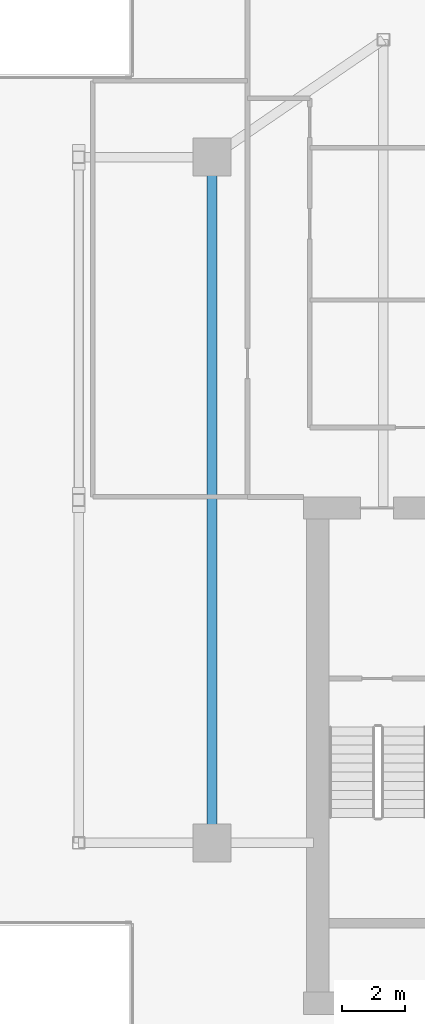
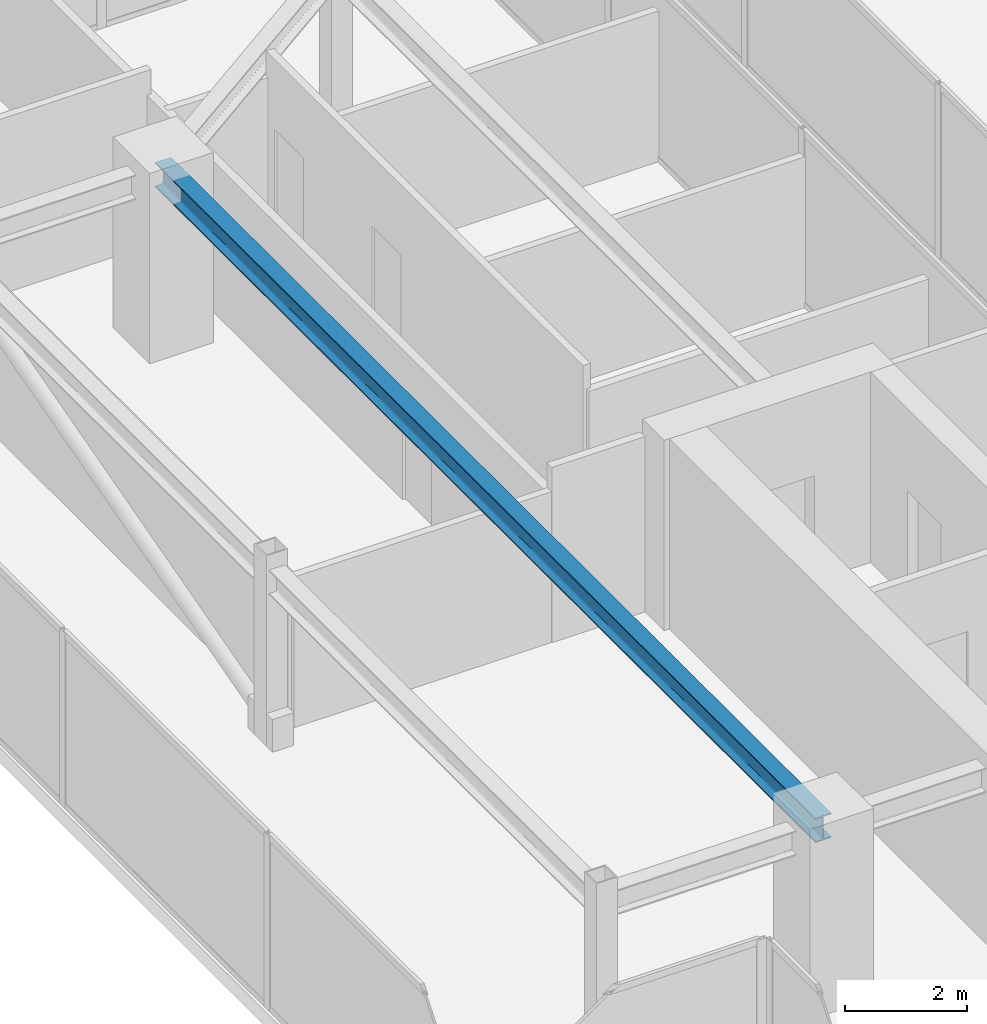
# One storey, part 9 of 25: 1 beam.
"""IFC4 building model written with IfcOpenShell, lengths in metres."""

import ifcopenshell
import ifcopenshell.guid

model = None  # the IFC model being written
_history = None  # IfcOwnerHistory: only IFC2X3 demands one
_inside = {}  # id of a spatial element -> (the spatial element, [elements in it])
_under = {}  # id of a project, library or spatial element -> (it, [spatial elements below it])
_declared = {}  # id of a project -> (the project, [libraries it declares])
_typed = {}  # id of a type object -> (the type object, [elements of that type])
_made_of = {}  # id of a material, layer set ... -> (it, [elements and type objects made of it])


def new_model(schema):
    """Start an empty IFC model of exactly this schema.

    Asked for "IFC4X3", IfcOpenShell would pick the latest addendum, in which some entities
    have other attributes; the version numbers below select the first issue.
    IFC2X3 requires an IfcOwnerHistory on every rooted entity: one is made here for all.
    """
    global model, _history
    if schema == "IFC4X3":
        model = ifcopenshell.file(schema_version=(4, 3, 0, 0))
    else:
        model = ifcopenshell.file(schema=schema)
    _inside.clear()
    _under.clear()
    _declared.clear()
    _typed.clear()
    _made_of.clear()
    _history = None
    if model.schema == "IFC2X3":
        org = make("IfcOrganization", Name="unknown")
        user = make(
            "IfcPersonAndOrganization",
            ThePerson=make("IfcPerson", FamilyName="unknown"),
            TheOrganization=org,
        )
        app = make(
            "IfcApplication",
            ApplicationDeveloper=org,
            Version="unknown",
            ApplicationFullName="unknown",
            ApplicationIdentifier="unknown",
        )
        _history = make(
            "IfcOwnerHistory",
            OwningUser=user,
            OwningApplication=app,
            ChangeAction="ADDED",
            CreationDate=0,
        )
    return model


def make(cls, **values):
    """One entity of the class cls with the attributes given. An attribute that is None is left unset."""
    return model.create_entity(
        cls, **{name: value for name, value in values.items() if value is not None}
    )


def rooted(cls, **values):
    """An entity with a GlobalId (a new one), such as an element, a storey or a relation."""
    return make(cls, GlobalId=ifcopenshell.guid.new(), OwnerHistory=_history, **values)


def si_unit(unit_type, name, prefix=None):
    """IfcSIUnit, for example si_unit("LENGTHUNIT", "METRE", prefix="MILLI")."""
    return make("IfcSIUnit", UnitType=unit_type, Prefix=prefix, Name=name)


def assignment(units):
    """IfcUnitAssignment: the units of a project."""
    return None if units is None else make("IfcUnitAssignment", Units=units)


def point(xyz):
    """IfcCartesianPoint."""
    return None if xyz is None else make("IfcCartesianPoint", Coordinates=xyz)


def direction(xyz):
    """IfcDirection."""
    return None if xyz is None else make("IfcDirection", DirectionRatios=xyz)


def frame(location, z_axis=None, x_axis=None):
    """IfcAxis2Placement3D, a coordinate frame: its origin and axes. An axis left out is left unset."""
    return make(
        "IfcAxis2Placement3D",
        Location=point(location),
        Axis=direction(z_axis),
        RefDirection=direction(x_axis),
    )


def frame_2d(location, x_axis=None):
    """IfcAxis2Placement2D, a coordinate frame in the plane: its origin and x axis."""
    return make(
        "IfcAxis2Placement2D", Location=point(location), RefDirection=direction(x_axis)
    )


def origin():
    """The frame at (0, 0, 0) with its axes left unset."""
    return frame((0.0, 0.0, 0.0))


def origin_2d():
    """The frame at (0, 0) in the plane with its x axis left unset."""
    return frame_2d((0.0, 0.0))


def place(relative_to, where):
    """IfcLocalPlacement: puts the frame where relative to a parent placement (None: the world)."""
    return make(
        "IfcLocalPlacement", PlacementRelTo=relative_to, RelativePlacement=where
    )


def context(
    kind, dimensions, precision=None, world=None, true_north=None, identifier=None
):
    """IfcGeometricRepresentationContext, for example the 3D "Model" context."""
    return make(
        "IfcGeometricRepresentationContext",
        ContextIdentifier=identifier,
        ContextType=kind,
        CoordinateSpaceDimension=dimensions,
        Precision=precision,
        WorldCoordinateSystem=world,
        TrueNorth=true_north,
    )


def subcontext(parent, identifier, kind, view, scale=None):
    """IfcGeometricRepresentationSubContext, for example "Body" below "Model"."""
    return make(
        "IfcGeometricRepresentationSubContext",
        ContextIdentifier=identifier,
        ContextType=kind,
        ParentContext=parent,
        TargetScale=scale,
        TargetView=view,
    )


def project(units=None, contexts=None):
    """IfcProject with its units and contexts."""
    return rooted(
        "IfcProject",
        Name="project",
        RepresentationContexts=contexts,
        UnitsInContext=assignment(units),
    )


def spatial(cls, under=None, at=None, **own):
    """A site, building, storey or space (cls), placed at a placement, below another one or the project."""
    s = rooted(cls, ObjectPlacement=at, **own)
    if under is not None:
        _under.setdefault(under.id(), (under, []))[1].append(s)
    return s


def profile(cls, at=None, kind="AREA", **sizes):
    """A parametric profile (cls). Its sizes go by their IFC names, for example OverallWidth=200.0."""
    return make(cls, ProfileType=kind, Position=at, **sizes)


def i_section(**sizes):
    """IfcIShapeProfileDef."""
    return profile("IfcIShapeProfileDef", **sizes)


def extrude(swept, where, along, depth):
    """IfcExtrudedAreaSolid: the profile swept, set in the frame where, extruded along a direction by depth."""
    return make(
        "IfcExtrudedAreaSolid",
        SweptArea=swept,
        Position=where,
        ExtrudedDirection=direction(along),
        Depth=depth,
    )


def shape(context_of_items, identifier, shape_type, items):
    """IfcShapeRepresentation: the items that make up one representation, for example the "Body"."""
    return make(
        "IfcShapeRepresentation",
        ContextOfItems=context_of_items,
        RepresentationIdentifier=identifier,
        RepresentationType=shape_type,
        Items=items,
    )


def source(mapping_origin, context_of_items, identifier, shape_type, items):
    """IfcRepresentationMap: a shape defined once, which mapped items show again and again."""
    return make(
        "IfcRepresentationMap",
        MappingOrigin=mapping_origin,
        MappedRepresentation=shape(context_of_items, identifier, shape_type, items),
    )


def transform(
    local_origin,
    x_axis=None,
    y_axis=None,
    z_axis=None,
    scale=None,
    scale2=None,
    scale3=None,
    uniform=True,
):
    """IfcCartesianTransformationOperator3D, or its non-uniform kind. x_axis, y_axis, z_axis: its Axis1, 2, 3."""
    if uniform:
        return make(
            "IfcCartesianTransformationOperator3D",
            Axis1=direction(x_axis),
            Axis2=direction(y_axis),
            LocalOrigin=point(local_origin),
            Scale=scale,
            Axis3=direction(z_axis),
        )
    return make(
        "IfcCartesianTransformationOperator3DnonUniform",
        Axis1=direction(x_axis),
        Axis2=direction(y_axis),
        LocalOrigin=point(local_origin),
        Scale=scale,
        Axis3=direction(z_axis),
        Scale2=scale2,
        Scale3=scale3,
    )


def mapped(mapping_source, mapping_target):
    """IfcMappedItem: shows the shape of a source again, moved by a transform."""
    return make(
        "IfcMappedItem", MappingSource=mapping_source, MappingTarget=mapping_target
    )


def material(Name=None, Category=None):
    """IfcMaterial."""
    return make("IfcMaterial", Name=Name, Category=Category)


def material_profile(
    of_material, cross_section, Name=None, Category=None, Priority=None
):
    """IfcMaterialProfile: a cross section and its material."""
    return make(
        "IfcMaterialProfile",
        Name=Name,
        Material=of_material,
        Profile=cross_section,
        Priority=Priority,
        Category=Category,
    )


def profile_set(profiles, Name=None, composite=None):
    """IfcMaterialProfileSet."""
    return make(
        "IfcMaterialProfileSet",
        Name=Name,
        MaterialProfiles=profiles,
        CompositeProfile=composite,
    )


def made_of(thing, what):
    """Note that an element or type object is made of a material, layer set ...; save() writes the relation."""
    if what is not None:
        _made_of.setdefault(what.id(), (what, []))[1].append(thing)
    return thing


def type_object(cls, material=None, **own):
    """A type object (cls), such as IfcWallType, which elements share."""
    return made_of(rooted(cls, **own), material)


def type_shapes(of_type, sources):
    """Give a type object the sources (RepresentationMaps) that its elements show as mapped items."""
    of_type.RepresentationMaps = sources


def element(
    cls,
    number,
    at=None,
    inside=None,
    cuts=None,
    type_object=None,
    material=None,
    context=None,
    identifier="Body",
    shape_type=None,
    held_by="IfcProductDefinitionShape",
    body=None,
    shapes=None,
    **own,
):
    """One element of the class cls, such as IfcWall. Its Tag is "e" and its number.

    at: its placement. inside: the storey or other place that contains it. cuts: it is an
    opening in that element (IfcRelVoidsElement). A single representation is given by context,
    identifier, shape_type and body (its items); several are given by shapes. held_by: the class
    of the entity that holds the representations. save() writes the other relations.
    """
    e = rooted(cls, Tag="e%d" % number, ObjectPlacement=at, **own)
    if body is not None:
        shapes = [shape(context, identifier, shape_type, body)]
    if shapes is not None:
        e.Representation = make(held_by, Representations=shapes)
    if inside is not None:
        _inside.setdefault(inside.id(), (inside, []))[1].append(e)
    if cuts is not None:
        rooted(
            "IfcRelVoidsElement", RelatingBuildingElement=cuts, RelatedOpeningElement=e
        )
    if type_object is not None:
        _typed.setdefault(type_object.id(), (type_object, []))[1].append(e)
    return made_of(e, material)


def aggregate(whole, parts):
    """IfcRelAggregates: a whole, such as a stair, and the parts it consists of."""
    return rooted("IfcRelAggregates", RelatingObject=whole, RelatedObjects=parts)


def save(model, path):
    """Write the relations noted so far, then the file.

    IfcRelAggregates (storeys below a building ...), IfcRelContainedInSpatialStructure (elements
    in a storey), IfcRelDefinesByType, IfcRelAssociatesMaterial and IfcRelDeclares: one each for
    every whole, place, type object, material and project.
    """
    for whole, parts in _under.values():
        aggregate(whole, parts)
    for where, things in _inside.values():
        rooted(
            "IfcRelContainedInSpatialStructure",
            RelatedElements=things,
            RelatingStructure=where,
        )
    for kind, things in _typed.values():
        rooted("IfcRelDefinesByType", RelatedObjects=things, RelatingType=kind)
    for what, things in _made_of.values():
        rooted("IfcRelAssociatesMaterial", RelatedObjects=things, RelatingMaterial=what)
    for by, libraries in _declared.values():
        rooted("IfcRelDeclares", RelatingContext=by, RelatedDefinitions=libraries)
    model.write(path)


model = new_model("IFC4")

# Units and contexts
model_context = context("Model", 3, precision=1e-05, world=origin(), true_north=direction((0.0, 1.0)))
body_context = subcontext(model_context, "Body", "Model", "MODEL_VIEW")
ifc_project = project(units=[si_unit("LENGTHUNIT", "METRE"), si_unit("AREAUNIT", "SQUARE_METRE"), si_unit("VOLUMEUNIT", "CUBIC_METRE"), si_unit("PLANEANGLEUNIT", "RADIAN"), si_unit("MASSUNIT", "GRAM", prefix="KILO")], contexts=[model_context])

# Site, building, storey
site_placement = place(None, origin())
site = spatial("IfcSite", under=ifc_project, at=site_placement, CompositionType="ELEMENT")
building_placement = place(site_placement, origin())
building = spatial("IfcBuilding", under=site, at=building_placement, Name="Krantzveldt Concourse Tower", CompositionType="ELEMENT")
storey_placement = place(building_placement, frame((0.0, 0.0, 370.85009765625)))
storey = spatial("IfcBuildingStorey", under=building, at=storey_placement, Name="L91", CompositionType="ELEMENT", Elevation=370.85009765625)

# Beam
ifc_material = material(Name="Steel S355JR", Category="steel")
ifc_material_profile = material_profile(ifc_material, i_section(OverallWidth=0.300048828125, OverallDepth=0.489990234375, WebThickness=0.011962890625, FlangeThickness=0.02294921875, FilletRadius=0.027099609375, at=origin_2d()), Name="Steel S355JR", Category="steel")
ifc_profile_set = profile_set([ifc_material_profile], Name="Steel S355JR - HEA 500")
beam_type = type_object("IfcBeamType", Name="BM-B-HEA500", PredefinedType="BEAM", material=ifc_profile_set)
shared_shape = source(origin(), body_context, "Body", "SweptSolid", [
    extrude(i_section(OverallWidth=0.300048828125, OverallDepth=0.489990234375, WebThickness=0.011962890625, FlangeThickness=0.02294921875, FilletRadius=0.027099609375, at=origin_2d()), origin(), (0.0, 0.0, 1.0), 21.60009765625),
])
type_shapes(beam_type, [shared_shape])
beam_placement = place(storey_placement, frame((25.199951171875, 15.89990234375, 3.2548828125), z_axis=(0.0, 1.0, 0.0), x_axis=(-1.0, 0.0, 0.0)))
element("IfcBeam", 1, at=beam_placement, inside=storey, type_object=beam_type, Name="L91 Crown Girder WEST-8", PredefinedType="BEAM", context=body_context, shape_type="MappedRepresentation", body=[
    mapped(shared_shape, transform((0.0, 0.0, 0.0), x_axis=(1.0, 0.0, 0.0), y_axis=(0.0, 1.0, 0.0), z_axis=(0.0, 0.0, 1.0), scale=1.0)),
])

save(model, "model.ifc")
